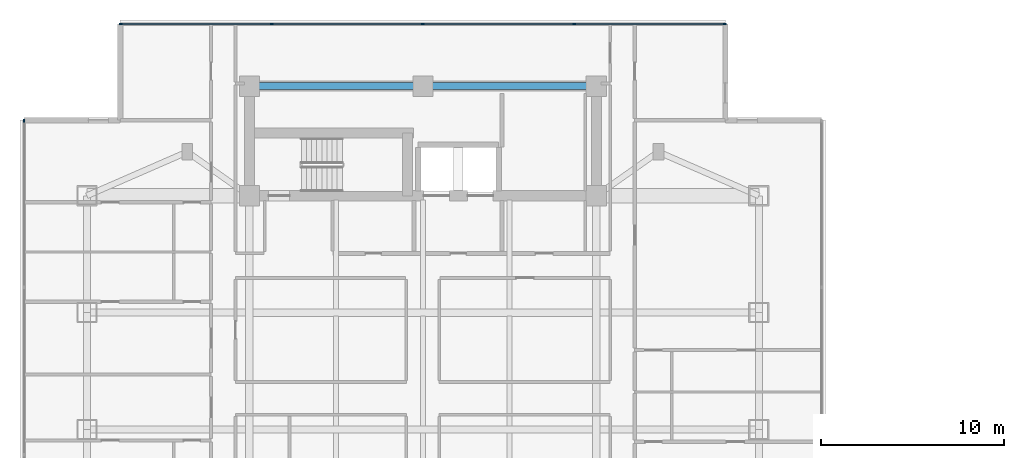
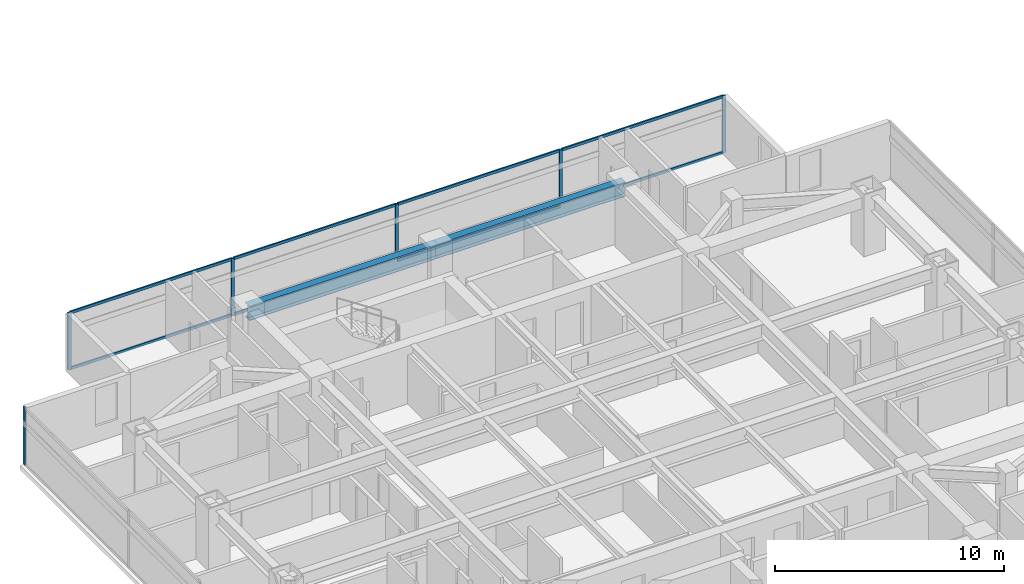
# One storey, part 7 of 24: 14 members, 2 beams, 2 elements without a shape of their own.
"""IFC4 building model written with IfcOpenShell, lengths in metres."""

from ifc_helpers import new_model, si_unit, direction, frame, origin, origin_2d, place, context, subcontext, project, spatial, rectangle, i_section, extrude, material, material_profile, profile_set, type_object, element, aggregate, save


model = new_model("IFC4")

# Units and contexts
model_context = context("Model", 3, precision=1e-05, world=origin(), true_north=direction((0.0, 1.0)))
body_context = subcontext(model_context, "Body", "Model", "MODEL_VIEW")
ifc_project = project(units=[si_unit("LENGTHUNIT", "METRE"), si_unit("AREAUNIT", "SQUARE_METRE"), si_unit("VOLUMEUNIT", "CUBIC_METRE"), si_unit("PLANEANGLEUNIT", "RADIAN"), si_unit("MASSUNIT", "GRAM", prefix="KILO")], contexts=[model_context])

# Site, building, storey
site_placement = place(None, origin())
site = spatial("IfcSite", under=ifc_project, at=site_placement, CompositionType="ELEMENT")
building_placement = place(site_placement, origin())
building = spatial("IfcBuilding", under=site, at=building_placement, Name="Mirazonda Arch Towers", CompositionType="ELEMENT")
storey_placement = place(building_placement, frame((0.0, 0.0, 141.199951171875)))
storey = spatial("IfcBuildingStorey", under=building, at=storey_placement, Name="L40", CompositionType="ELEMENT", Elevation=141.199951171875)

# Beams
ifc_material_1 = material(Name="Steel ASTM A992 Grade 50", Category="steel")
ifc_material_profile_1 = material_profile(ifc_material_1, i_section(OverallWidth=0.381103515625, OverallDepth=0.77294921875, WebThickness=0.0166015625, FlangeThickness=0.027099609375, at=origin_2d()), Name="W30X173")
ifc_profile_set_1 = profile_set([ifc_material_profile_1], Name="Steel ASTM A992 Grade 50")
beam_type = type_object("IfcBeamType", Name="BM-INT-W30X173", PredefinedType="USERDEFINED", material=ifc_profile_set_1)
for number, where, z_axis, x_axis, name in (
    (1, (11.0, 43.60009765625, 2.693603515625), (1.0, 0.0, 0.0), (0.0, 1.0, 0.0), "L40 Floor Beam BM-T1-L40-CN1"),
    (2, (20.5, 43.60009765625, 2.693603515625), (1.0, 0.0, 0.0), (0.0, 1.0, 0.0), "L40 Floor Beam BM-T1-L40-CN2"),
):
    element("IfcBeam", number, at=place(storey_placement, frame(where, z_axis=z_axis, x_axis=x_axis)), inside=storey, type_object=beam_type, Name=name, ObjectType="GIRDER", PredefinedType="USERDEFINED", context=body_context, shape_type="SweptSolid", body=[
        extrude(i_section(OverallWidth=0.381103515625, OverallDepth=0.77294921875, WebThickness=0.0166015625, FlangeThickness=0.027099609375, at=origin_2d()), origin(), (0.0, 0.0, 1.0), 9.5),
    ])

# Curtain wall, members
ifc_material_2 = material(Name="Anodised Aluminium and Low-E Glass", Category="aluminium")
curtain_wall_type = type_object("IfcCurtainWallType", Name="CW-HTL-UNIT", PredefinedType="NOTDEFINED", material=ifc_material_2)
curtain_wall_1_placement = place(storey_placement, origin())
curtain_wall_1 = element("IfcCurtainWall", 3, at=curtain_wall_1_placement, inside=storey, type_object=curtain_wall_type, Name="L40 T1 N Facade CW-L40-T1-N", PredefinedType="NOTDEFINED")
ifc_material_3 = material(Name="Anodised Aluminium Alloy", Category="aluminium")
ifc_material_profile_2 = material_profile(ifc_material_3, rectangle(XDim=0.074951171875, YDim=0.1650390625, at=origin_2d()), Name="ALU-MULL-75x165")
ifc_profile_set_2 = profile_set([ifc_material_profile_2], Name="Anodised Aluminium Alloy")
member_type_1 = type_object("IfcMemberType", Name="MULL-CW-HTL-UNIT", PredefinedType="MULLION", material=ifc_profile_set_2)
member_1_placement = place(storey_placement, frame((3.967529296875, 47.006103515625, 0.0), z_axis=(0.0, 0.0, 1.0), x_axis=(0.0, 1.0, 0.0)))
member_1 = element("IfcMember", 4, at=member_1_placement, type_object=member_type_1, Name="CW-112 mullion 1", PredefinedType="MULLION", context=body_context, shape_type="SweptSolid", body=[
    extrude(rectangle(XDim=0.074951171875, YDim=0.1650390625, at=origin_2d()), origin(), (0.0, 0.0, 1.0), 3.06005859375),
])
member_2_placement = place(storey_placement, frame((12.215087890625, 47.006103515625, 0.0), z_axis=(0.0, 0.0, 1.0), x_axis=(0.0, 1.0, 0.0)))
member_2 = element("IfcMember", 5, at=member_2_placement, type_object=member_type_1, Name="CW-112 mullion 2", PredefinedType="MULLION", context=body_context, shape_type="SweptSolid", body=[
    extrude(rectangle(XDim=0.074951171875, YDim=0.1650390625, at=origin_2d()), origin(), (0.0, 0.0, 1.0), 3.06005859375),
])
member_3_placement = place(storey_placement, frame((20.5, 47.006103515625, 0.0), z_axis=(0.0, 0.0, 1.0), x_axis=(0.0, 1.0, 0.0)))
member_3 = element("IfcMember", 6, at=member_3_placement, type_object=member_type_1, Name="CW-112 mullion 3", PredefinedType="MULLION", context=body_context, shape_type="SweptSolid", body=[
    extrude(rectangle(XDim=0.074951171875, YDim=0.1650390625, at=origin_2d()), origin(), (0.0, 0.0, 1.0), 3.06005859375),
])
member_4_placement = place(storey_placement, frame((28.784912109375, 47.006103515625, 0.0), z_axis=(0.0, 0.0, 1.0), x_axis=(0.0, 1.0, 0.0)))
member_4 = element("IfcMember", 7, at=member_4_placement, type_object=member_type_1, Name="CW-112 mullion 4", PredefinedType="MULLION", context=body_context, shape_type="SweptSolid", body=[
    extrude(rectangle(XDim=0.074951171875, YDim=0.1650390625, at=origin_2d()), origin(), (0.0, 0.0, 1.0), 3.06005859375),
])
member_5_placement = place(storey_placement, frame((37.032470703125, 47.006103515625, 0.0), z_axis=(0.0, 0.0, 1.0), x_axis=(0.0, 1.0, 0.0)))
member_5 = element("IfcMember", 8, at=member_5_placement, type_object=member_type_1, Name="CW-112 mullion 5", PredefinedType="MULLION", context=body_context, shape_type="SweptSolid", body=[
    extrude(rectangle(XDim=0.074951171875, YDim=0.1650390625, at=origin_2d()), origin(), (0.0, 0.0, 1.0), 3.06005859375),
])

# Curtain wall, member
curtain_wall_2_placement = place(storey_placement, origin())
curtain_wall_2 = element("IfcCurtainWall", 9, at=curtain_wall_2_placement, inside=storey, type_object=curtain_wall_type, Name="L40 T1 W Facade CW-L40-T1-W", PredefinedType="NOTDEFINED")
member_6_placement = place(storey_placement, frame((-1.340087890625, 41.698486328125, 0.0), z_axis=(0.0, 0.0, 1.0), x_axis=(1.0, 0.0, 0.0)))
member_6 = element("IfcMember", 10, at=member_6_placement, type_object=member_type_1, Name="CW-112 mullion 1", PredefinedType="MULLION", context=body_context, shape_type="SweptSolid", body=[
    extrude(rectangle(XDim=0.074951171875, YDim=0.1650390625, at=origin_2d()), origin(), (0.0, 0.0, 1.0), 3.06005859375),
])
aggregate(curtain_wall_2, [member_6])

# Member
ifc_material_profile_3 = material_profile(ifc_material_3, rectangle(XDim=0.074951171875, YDim=0.14501953125, at=origin_2d()), Name="ALU-TRAN-75x145")
ifc_profile_set_3 = profile_set([ifc_material_profile_3], Name="Anodised Aluminium Alloy")
member_type_2 = type_object("IfcMemberType", Name="TRAN-CW-HTL-UNIT", PredefinedType="USERDEFINED", material=ifc_profile_set_3)
member_7_placement = place(storey_placement, frame((4.0048828125, 47.006103515625, 0.03759765625), z_axis=(1.0, 0.0, 0.0), x_axis=(0.0, 1.0, 0.0)))
member_7 = element("IfcMember", 11, at=member_7_placement, type_object=member_type_2, Name="CW-112 transom 1.1", ObjectType="TRANSOM", PredefinedType="USERDEFINED", context=body_context, shape_type="SweptSolid", body=[
    extrude(rectangle(XDim=0.074951171875, YDim=0.14501953125, at=origin_2d()), origin(), (0.0, 0.0, 1.0), 8.172607421875),
])

member_8_placement = place(storey_placement, frame((4.0048828125, 47.006103515625, 3.0224609375), z_axis=(1.0, 0.0, 0.0), x_axis=(0.0, 1.0, 0.0)))
member_8 = element("IfcMember", 12, at=member_8_placement, type_object=member_type_2, Name="CW-112 transom 1.2", ObjectType="TRANSOM", PredefinedType="USERDEFINED", context=body_context, shape_type="SweptSolid", body=[
    extrude(rectangle(XDim=0.074951171875, YDim=0.14501953125, at=origin_2d()), origin(), (0.0, 0.0, 1.0), 8.172607421875),
])

member_9_placement = place(storey_placement, frame((12.25244140625, 47.006103515625, 0.03759765625), z_axis=(1.0, 0.0, 0.0), x_axis=(0.0, 1.0, 0.0)))
member_9 = element("IfcMember", 13, at=member_9_placement, type_object=member_type_2, Name="CW-112 transom 2.1", ObjectType="TRANSOM", PredefinedType="USERDEFINED", context=body_context, shape_type="SweptSolid", body=[
    extrude(rectangle(XDim=0.074951171875, YDim=0.14501953125, at=origin_2d()), origin(), (0.0, 0.0, 1.0), 8.2099609375),
])

member_10_placement = place(storey_placement, frame((12.25244140625, 47.006103515625, 3.0224609375), z_axis=(1.0, 0.0, 0.0), x_axis=(0.0, 1.0, 0.0)))
member_10 = element("IfcMember", 14, at=member_10_placement, type_object=member_type_2, Name="CW-112 transom 2.2", ObjectType="TRANSOM", PredefinedType="USERDEFINED", context=body_context, shape_type="SweptSolid", body=[
    extrude(rectangle(XDim=0.074951171875, YDim=0.14501953125, at=origin_2d()), origin(), (0.0, 0.0, 1.0), 8.2099609375),
])

member_11_placement = place(storey_placement, frame((20.53759765625, 47.006103515625, 0.03759765625), z_axis=(1.0, 0.0, 0.0), x_axis=(0.0, 1.0, 0.0)))
member_11 = element("IfcMember", 15, at=member_11_placement, type_object=member_type_2, Name="CW-112 transom 3.1", ObjectType="TRANSOM", PredefinedType="USERDEFINED", context=body_context, shape_type="SweptSolid", body=[
    extrude(rectangle(XDim=0.074951171875, YDim=0.14501953125, at=origin_2d()), origin(), (0.0, 0.0, 1.0), 8.2099609375),
])

member_12_placement = place(storey_placement, frame((20.53759765625, 47.006103515625, 3.0224609375), z_axis=(1.0, 0.0, 0.0), x_axis=(0.0, 1.0, 0.0)))
member_12 = element("IfcMember", 16, at=member_12_placement, type_object=member_type_2, Name="CW-112 transom 3.2", ObjectType="TRANSOM", PredefinedType="USERDEFINED", context=body_context, shape_type="SweptSolid", body=[
    extrude(rectangle(XDim=0.074951171875, YDim=0.14501953125, at=origin_2d()), origin(), (0.0, 0.0, 1.0), 8.2099609375),
])

member_13_placement = place(storey_placement, frame((28.822509765625, 47.006103515625, 0.03759765625), z_axis=(1.0, 0.0, 0.0), x_axis=(0.0, 1.0, 0.0)))
member_13 = element("IfcMember", 17, at=member_13_placement, type_object=member_type_2, Name="CW-112 transom 4.1", ObjectType="TRANSOM", PredefinedType="USERDEFINED", context=body_context, shape_type="SweptSolid", body=[
    extrude(rectangle(XDim=0.074951171875, YDim=0.14501953125, at=origin_2d()), origin(), (0.0, 0.0, 1.0), 8.172607421875),
])

member_14_placement = place(storey_placement, frame((28.822509765625, 47.006103515625, 3.0224609375), z_axis=(1.0, 0.0, 0.0), x_axis=(0.0, 1.0, 0.0)))
member_14 = element("IfcMember", 18, at=member_14_placement, type_object=member_type_2, Name="CW-112 transom 4.2", ObjectType="TRANSOM", PredefinedType="USERDEFINED", context=body_context, shape_type="SweptSolid", body=[
    extrude(rectangle(XDim=0.074951171875, YDim=0.14501953125, at=origin_2d()), origin(), (0.0, 0.0, 1.0), 8.172607421875),
])

aggregate(curtain_wall_1, [member_1, member_2, member_3, member_4, member_5, member_7, member_8, member_9, member_10, member_11, member_12, member_13, member_14])

save(model, "model.ifc")
